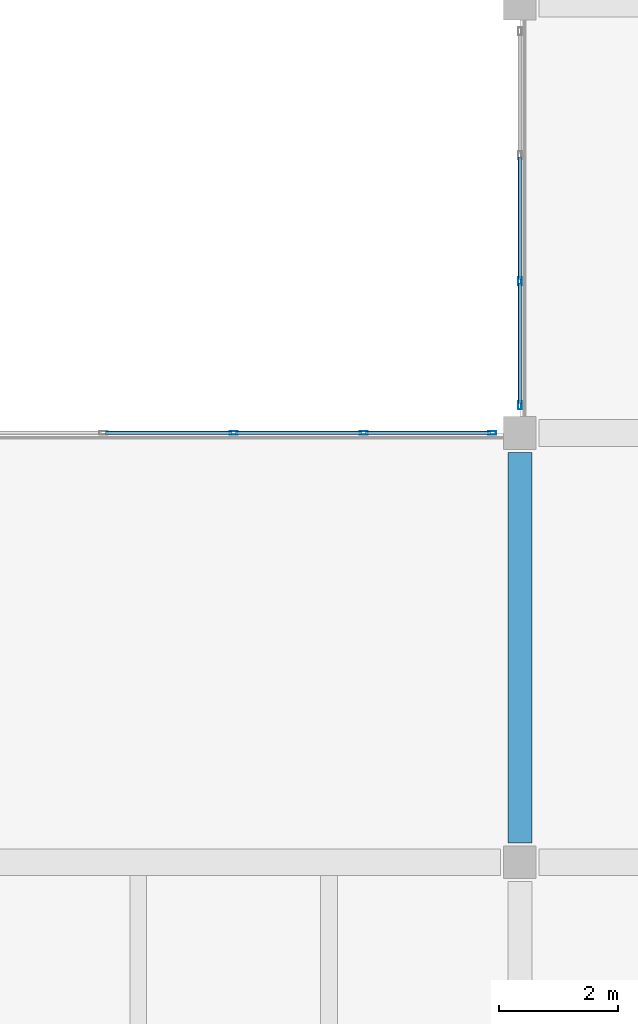
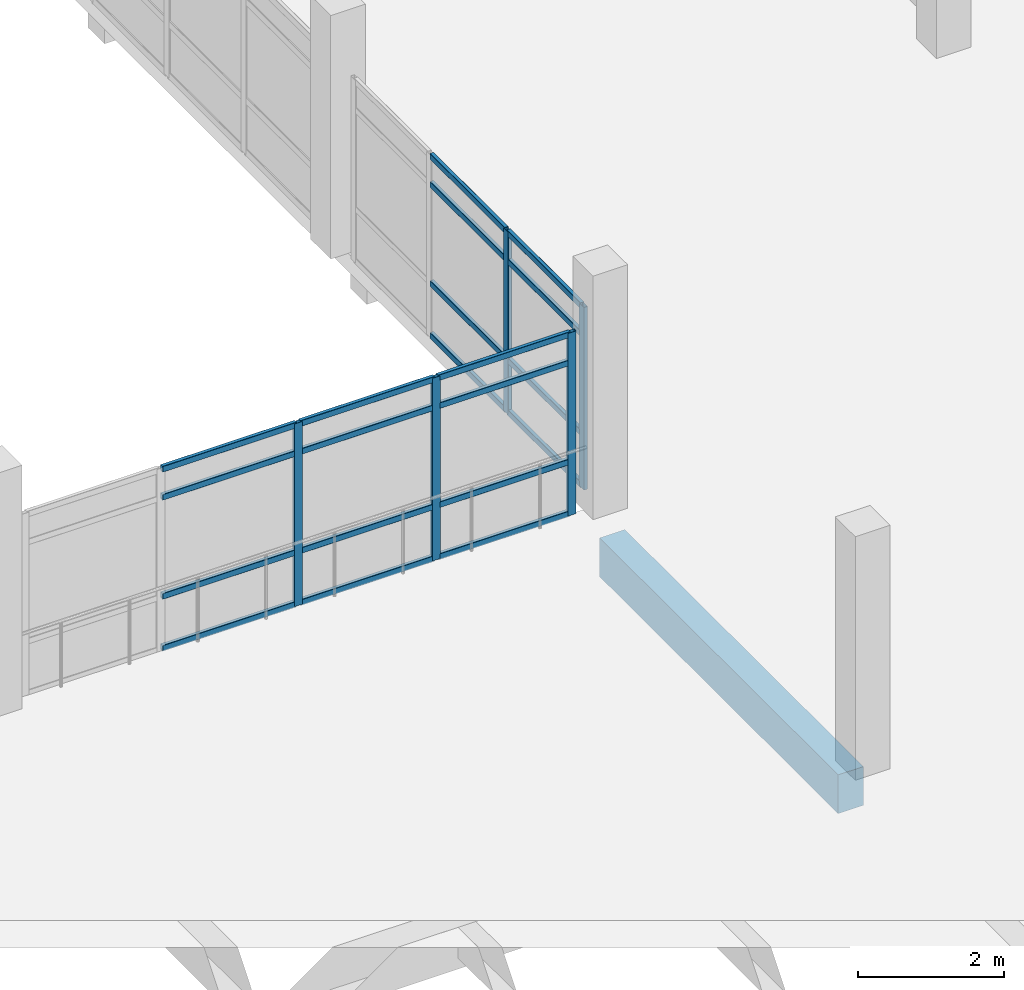
# One storey, part 29 of 72: 25 members, 1 beam, 2 elements without a shape of their own.
"""IFC4 building model written with IfcOpenShell, lengths in metres."""

from ifc_helpers import new_model, si_unit, direction, frame, origin, origin_2d, place, context, subcontext, project, spatial, rectangle, hollow_rectangle, extrude, material, layer, layer_set, material_profile, profile_set, type_object, element, aggregate, save


model = new_model("IFC4")

# Units and contexts
model_context = context("Model", 3, precision=1e-05, world=origin(), true_north=direction((0.0, 1.0)))
body_context = subcontext(model_context, "Body", "Model", "MODEL_VIEW")
ifc_project = project(units=[si_unit("LENGTHUNIT", "METRE"), si_unit("AREAUNIT", "SQUARE_METRE"), si_unit("VOLUMEUNIT", "CUBIC_METRE"), si_unit("PLANEANGLEUNIT", "RADIAN"), si_unit("MASSUNIT", "GRAM", prefix="KILO")], contexts=[model_context])

# Site, building, storey
site_placement = place(None, origin())
site = spatial("IfcSite", under=ifc_project, at=site_placement, CompositionType="ELEMENT")
building_placement = place(site_placement, origin())
building = spatial("IfcBuilding", under=site, at=building_placement, Name="Asteropetra Specialist Clinic", CompositionType="ELEMENT")
storey_placement = place(building_placement, frame((0.0, 0.0, 12.580078125)))
storey = spatial("IfcBuildingStorey", under=building, at=storey_placement, Name="L03", CompositionType="ELEMENT", Elevation=12.580078125)

# Beam
ifc_material_1 = material(Name="Concrete C35/45", Category="concrete")
ifc_material_profile_1 = material_profile(ifc_material_1, rectangle(XDim=0.39990234375, YDim=0.64990234375, at=origin_2d()), Name="RCB 400x650")
ifc_profile_set_1 = profile_set([ifc_material_profile_1], Name="Concrete C35/45")
beam_type = type_object("IfcBeamType", Name="BM-RC400x650", PredefinedType="BEAM", material=ifc_profile_set_1)
beam_placement = place(storey_placement, frame((134.39990234375, 12.324951171875, -0.625), z_axis=(0.0, 1.0, 0.0), x_axis=(-1.0, 0.0, 0.0)))
element("IfcBeam", 1, at=beam_placement, inside=storey, type_object=beam_type, Name="Beam BBM07-1510", PredefinedType="BEAM", context=body_context, shape_type="SweptSolid", body=[
    extrude(rectangle(XDim=0.39990234375, YDim=0.64990234375, at=origin_2d()), origin(), (0.0, 0.0, 1.0), 6.550048828125),
])

# Curtain wall, members
ifc_material_2 = material(Name="Aluminium and low-E glass", Category="aluminium")
ifc_layer_1 = layer(ifc_material_2, 0.14990234375)
ifc_layer_set_1 = layer_set([ifc_layer_1], Name="Aluminium and low-E glass")
curtain_wall_type_1 = type_object("IfcCurtainWallType", Name="CW-SYS-08", PredefinedType="USERDEFINED", material=ifc_layer_set_1)
curtain_wall_1_placement = place(storey_placement, origin())
curtain_wall_1 = element("IfcCurtainWall", 2, at=curtain_wall_1_placement, inside=storey, type_object=curtain_wall_type_1, Name="Curtain Wall CW-083", ObjectType="STICK GLAZED COLONNADE", PredefinedType="USERDEFINED")
ifc_material_3 = material(Name="Aluminium 6063-T6", Category="aluminium")
ifc_material_profile_2 = material_profile(ifc_material_3, hollow_rectangle(XDim=0.06005859375, YDim=0.135009765625, WallThickness=0.00341796875, InnerFilletRadius=0.00341796875, OuterFilletRadius=0.007080078125, at=origin_2d()), Name="MUL 135x60x3.5")
ifc_profile_set_2 = profile_set([ifc_material_profile_2], Name="Aluminium 6063-T6")
member_type_1 = type_object("IfcMemberType", Name="CWM-135x60", PredefinedType="MULLION", material=ifc_profile_set_2)
member_1_placement = place(storey_placement, frame((129.60009765625, 19.199951171875, 0.0), z_axis=(0.0, 0.0, 1.0), x_axis=(0.0, 1.0, 0.0)))
member_1 = element("IfcMember", 3, at=member_1_placement, type_object=member_type_1, Name="CW-083 mullion 3", PredefinedType="MULLION", context=body_context, shape_type="SweptSolid", body=[
    extrude(hollow_rectangle(XDim=0.06005859375, YDim=0.135009765625, WallThickness=0.00341796875, InnerFilletRadius=0.00341796875, OuterFilletRadius=0.007080078125, at=origin_2d()), origin(), (0.0, 0.0, 1.0), 3.059814453125),
])
member_2_placement = place(storey_placement, frame((131.782470703125, 19.199951171875, 0.0), z_axis=(0.0, 0.0, 1.0), x_axis=(0.0, 1.0, 0.0)))
member_2 = element("IfcMember", 4, at=member_2_placement, type_object=member_type_1, Name="CW-083 mullion 4", PredefinedType="MULLION", context=body_context, shape_type="SweptSolid", body=[
    extrude(hollow_rectangle(XDim=0.06005859375, YDim=0.135009765625, WallThickness=0.00341796875, InnerFilletRadius=0.00341796875, OuterFilletRadius=0.007080078125, at=origin_2d()), origin(), (0.0, 0.0, 1.0), 3.059814453125),
])
member_3_placement = place(storey_placement, frame((133.93505859375, 19.199951171875, 0.0), z_axis=(0.0, 0.0, 1.0), x_axis=(0.0, 1.0, 0.0)))
member_3 = element("IfcMember", 5, at=member_3_placement, type_object=member_type_1, Name="CW-083 mullion 5", PredefinedType="MULLION", context=body_context, shape_type="SweptSolid", body=[
    extrude(hollow_rectangle(XDim=0.06005859375, YDim=0.135009765625, WallThickness=0.00341796875, InnerFilletRadius=0.00341796875, OuterFilletRadius=0.007080078125, at=origin_2d()), origin(), (0.0, 0.0, 1.0), 3.059814453125),
])

ifc_material_4 = material(Name="Aluminium and low-E glass", Category="aluminium")
ifc_layer_2 = layer(ifc_material_4, 0.14990234375)
ifc_layer_set_2 = layer_set([ifc_layer_2], Name="Aluminium and low-E glass")
curtain_wall_type_2 = type_object("IfcCurtainWallType", Name="CW-SYS-11", PredefinedType="USERDEFINED", material=ifc_layer_set_2)
curtain_wall_2_placement = place(storey_placement, origin())
curtain_wall_2 = element("IfcCurtainWall", 6, at=curtain_wall_2_placement, inside=storey, type_object=curtain_wall_type_2, Name="Curtain Wall CW-086", ObjectType="STICK GLAZED COLONNADE", PredefinedType="USERDEFINED")
member_4_placement = place(storey_placement, frame((134.39990234375, 19.6650390625, 0.0), z_axis=(0.0, 0.0, 1.0), x_axis=(-1.0, 0.0, 0.0)))
member_4 = element("IfcMember", 7, at=member_4_placement, type_object=member_type_1, Name="CW-086 mullion 1", PredefinedType="MULLION", context=body_context, shape_type="SweptSolid", body=[
    extrude(hollow_rectangle(XDim=0.06005859375, YDim=0.135009765625, WallThickness=0.00341796875, InnerFilletRadius=0.00341796875, OuterFilletRadius=0.007080078125, at=origin_2d()), origin(), (0.0, 0.0, 1.0), 3.059814453125),
])
member_5_placement = place(storey_placement, frame((134.39990234375, 21.7451171875, 0.0), z_axis=(0.0, 0.0, 1.0), x_axis=(-1.0, 0.0, 0.0)))
member_5 = element("IfcMember", 8, at=member_5_placement, type_object=member_type_1, Name="CW-086 mullion 2", PredefinedType="MULLION", context=body_context, shape_type="SweptSolid", body=[
    extrude(hollow_rectangle(XDim=0.06005859375, YDim=0.135009765625, WallThickness=0.00341796875, InnerFilletRadius=0.00341796875, OuterFilletRadius=0.007080078125, at=origin_2d()), origin(), (0.0, 0.0, 1.0), 3.059814453125),
])

# Member
ifc_material_5 = material(Name="Aluminium 6063-T6", Category="aluminium")
ifc_material_profile_3 = material_profile(ifc_material_5, hollow_rectangle(XDim=0.06005859375, YDim=0.10009765625, WallThickness=0.00341796875, InnerFilletRadius=0.00341796875, OuterFilletRadius=0.007080078125, at=origin_2d()), Name="TRN 100x60x3.5")
ifc_profile_set_3 = profile_set([ifc_material_profile_3], Name="Aluminium 6063-T6")
member_type_2 = type_object("IfcMemberType", Name="CWT-100x60", PredefinedType="USERDEFINED", material=ifc_profile_set_3)
member_6_placement = place(storey_placement, frame((127.447509765625, 19.199951171875, 0.030029296875), z_axis=(1.0, 0.0, 0.0), x_axis=(0.0, 1.0, 0.0)))
member_6 = element("IfcMember", 9, at=member_6_placement, type_object=member_type_2, Name="CW-083 transom 2.1", ObjectType="TRANSOM", PredefinedType="USERDEFINED", context=body_context, shape_type="SweptSolid", body=[
    extrude(hollow_rectangle(XDim=0.06005859375, YDim=0.10009765625, WallThickness=0.00341796875, InnerFilletRadius=0.00341796875, OuterFilletRadius=0.007080078125, at=origin_2d()), origin(), (0.0, 0.0, 1.0), 2.12255859375),
])

member_7_placement = place(storey_placement, frame((127.447509765625, 19.199951171875, 0.89990234375), z_axis=(1.0, 0.0, 0.0), x_axis=(0.0, 1.0, 0.0)))
member_7 = element("IfcMember", 10, at=member_7_placement, type_object=member_type_2, Name="CW-083 transom 2.2", ObjectType="TRANSOM", PredefinedType="USERDEFINED", context=body_context, shape_type="SweptSolid", body=[
    extrude(hollow_rectangle(XDim=0.06005859375, YDim=0.10009765625, WallThickness=0.00341796875, InnerFilletRadius=0.00341796875, OuterFilletRadius=0.007080078125, at=origin_2d()), origin(), (0.0, 0.0, 1.0), 2.12255859375),
])

member_8_placement = place(storey_placement, frame((127.447509765625, 19.199951171875, 2.559814453125), z_axis=(1.0, 0.0, 0.0), x_axis=(0.0, 1.0, 0.0)))
member_8 = element("IfcMember", 11, at=member_8_placement, type_object=member_type_2, Name="CW-083 transom 2.3", ObjectType="TRANSOM", PredefinedType="USERDEFINED", context=body_context, shape_type="SweptSolid", body=[
    extrude(hollow_rectangle(XDim=0.06005859375, YDim=0.10009765625, WallThickness=0.00341796875, InnerFilletRadius=0.00341796875, OuterFilletRadius=0.007080078125, at=origin_2d()), origin(), (0.0, 0.0, 1.0), 2.12255859375),
])

member_9_placement = place(storey_placement, frame((127.447509765625, 19.199951171875, 3.030029296875), z_axis=(1.0, 0.0, 0.0), x_axis=(0.0, 1.0, 0.0)))
member_9 = element("IfcMember", 12, at=member_9_placement, type_object=member_type_2, Name="CW-083 transom 2.4", ObjectType="TRANSOM", PredefinedType="USERDEFINED", context=body_context, shape_type="SweptSolid", body=[
    extrude(hollow_rectangle(XDim=0.06005859375, YDim=0.10009765625, WallThickness=0.00341796875, InnerFilletRadius=0.00341796875, OuterFilletRadius=0.007080078125, at=origin_2d()), origin(), (0.0, 0.0, 1.0), 2.12255859375),
])

member_10_placement = place(storey_placement, frame((129.6298828125, 19.199951171875, 0.030029296875), z_axis=(1.0, 0.0, 0.0), x_axis=(0.0, 1.0, 0.0)))
member_10 = element("IfcMember", 13, at=member_10_placement, type_object=member_type_2, Name="CW-083 transom 3.1", ObjectType="TRANSOM", PredefinedType="USERDEFINED", context=body_context, shape_type="SweptSolid", body=[
    extrude(hollow_rectangle(XDim=0.06005859375, YDim=0.10009765625, WallThickness=0.00341796875, InnerFilletRadius=0.00341796875, OuterFilletRadius=0.007080078125, at=origin_2d()), origin(), (0.0, 0.0, 1.0), 2.12255859375),
])

member_11_placement = place(storey_placement, frame((129.6298828125, 19.199951171875, 0.89990234375), z_axis=(1.0, 0.0, 0.0), x_axis=(0.0, 1.0, 0.0)))
member_11 = element("IfcMember", 14, at=member_11_placement, type_object=member_type_2, Name="CW-083 transom 3.2", ObjectType="TRANSOM", PredefinedType="USERDEFINED", context=body_context, shape_type="SweptSolid", body=[
    extrude(hollow_rectangle(XDim=0.06005859375, YDim=0.10009765625, WallThickness=0.00341796875, InnerFilletRadius=0.00341796875, OuterFilletRadius=0.007080078125, at=origin_2d()), origin(), (0.0, 0.0, 1.0), 2.12255859375),
])

member_12_placement = place(storey_placement, frame((129.6298828125, 19.199951171875, 2.559814453125), z_axis=(1.0, 0.0, 0.0), x_axis=(0.0, 1.0, 0.0)))
member_12 = element("IfcMember", 15, at=member_12_placement, type_object=member_type_2, Name="CW-083 transom 3.3", ObjectType="TRANSOM", PredefinedType="USERDEFINED", context=body_context, shape_type="SweptSolid", body=[
    extrude(hollow_rectangle(XDim=0.06005859375, YDim=0.10009765625, WallThickness=0.00341796875, InnerFilletRadius=0.00341796875, OuterFilletRadius=0.007080078125, at=origin_2d()), origin(), (0.0, 0.0, 1.0), 2.12255859375),
])

member_13_placement = place(storey_placement, frame((129.6298828125, 19.199951171875, 3.030029296875), z_axis=(1.0, 0.0, 0.0), x_axis=(0.0, 1.0, 0.0)))
member_13 = element("IfcMember", 16, at=member_13_placement, type_object=member_type_2, Name="CW-083 transom 3.4", ObjectType="TRANSOM", PredefinedType="USERDEFINED", context=body_context, shape_type="SweptSolid", body=[
    extrude(hollow_rectangle(XDim=0.06005859375, YDim=0.10009765625, WallThickness=0.00341796875, InnerFilletRadius=0.00341796875, OuterFilletRadius=0.007080078125, at=origin_2d()), origin(), (0.0, 0.0, 1.0), 2.12255859375),
])

member_14_placement = place(storey_placement, frame((131.8125, 19.199951171875, 0.030029296875), z_axis=(1.0, 0.0, 0.0), x_axis=(0.0, 1.0, 0.0)))
member_14 = element("IfcMember", 17, at=member_14_placement, type_object=member_type_2, Name="CW-083 transom 4.1", ObjectType="TRANSOM", PredefinedType="USERDEFINED", context=body_context, shape_type="SweptSolid", body=[
    extrude(hollow_rectangle(XDim=0.06005859375, YDim=0.10009765625, WallThickness=0.00341796875, InnerFilletRadius=0.00341796875, OuterFilletRadius=0.007080078125, at=origin_2d()), origin(), (0.0, 0.0, 1.0), 2.092529296875),
])

member_15_placement = place(storey_placement, frame((131.8125, 19.199951171875, 0.89990234375), z_axis=(1.0, 0.0, 0.0), x_axis=(0.0, 1.0, 0.0)))
member_15 = element("IfcMember", 18, at=member_15_placement, type_object=member_type_2, Name="CW-083 transom 4.2", ObjectType="TRANSOM", PredefinedType="USERDEFINED", context=body_context, shape_type="SweptSolid", body=[
    extrude(hollow_rectangle(XDim=0.06005859375, YDim=0.10009765625, WallThickness=0.00341796875, InnerFilletRadius=0.00341796875, OuterFilletRadius=0.007080078125, at=origin_2d()), origin(), (0.0, 0.0, 1.0), 2.092529296875),
])

member_16_placement = place(storey_placement, frame((131.8125, 19.199951171875, 2.559814453125), z_axis=(1.0, 0.0, 0.0), x_axis=(0.0, 1.0, 0.0)))
member_16 = element("IfcMember", 19, at=member_16_placement, type_object=member_type_2, Name="CW-083 transom 4.3", ObjectType="TRANSOM", PredefinedType="USERDEFINED", context=body_context, shape_type="SweptSolid", body=[
    extrude(hollow_rectangle(XDim=0.06005859375, YDim=0.10009765625, WallThickness=0.00341796875, InnerFilletRadius=0.00341796875, OuterFilletRadius=0.007080078125, at=origin_2d()), origin(), (0.0, 0.0, 1.0), 2.092529296875),
])

member_17_placement = place(storey_placement, frame((131.8125, 19.199951171875, 3.030029296875), z_axis=(1.0, 0.0, 0.0), x_axis=(0.0, 1.0, 0.0)))
member_17 = element("IfcMember", 20, at=member_17_placement, type_object=member_type_2, Name="CW-083 transom 4.4", ObjectType="TRANSOM", PredefinedType="USERDEFINED", context=body_context, shape_type="SweptSolid", body=[
    extrude(hollow_rectangle(XDim=0.06005859375, YDim=0.10009765625, WallThickness=0.00341796875, InnerFilletRadius=0.00341796875, OuterFilletRadius=0.007080078125, at=origin_2d()), origin(), (0.0, 0.0, 1.0), 2.092529296875),
])

aggregate(curtain_wall_1, [member_1, member_2, member_3, member_6, member_7, member_8, member_9, member_10, member_11, member_12, member_13, member_14, member_15, member_16, member_17])

member_18_placement = place(storey_placement, frame((134.39990234375, 19.695068359375, 0.030029296875), z_axis=(0.0, 1.0, 0.0), x_axis=(-1.0, 0.0, 0.0)))
member_18 = element("IfcMember", 21, at=member_18_placement, type_object=member_type_2, Name="CW-086 transom 1.1", ObjectType="TRANSOM", PredefinedType="USERDEFINED", context=body_context, shape_type="SweptSolid", body=[
    extrude(hollow_rectangle(XDim=0.06005859375, YDim=0.10009765625, WallThickness=0.00341796875, InnerFilletRadius=0.00341796875, OuterFilletRadius=0.007080078125, at=origin_2d()), origin(), (0.0, 0.0, 1.0), 2.02001953125),
])

member_19_placement = place(storey_placement, frame((134.39990234375, 19.695068359375, 0.89990234375), z_axis=(0.0, 1.0, 0.0), x_axis=(-1.0, 0.0, 0.0)))
member_19 = element("IfcMember", 22, at=member_19_placement, type_object=member_type_2, Name="CW-086 transom 1.2", ObjectType="TRANSOM", PredefinedType="USERDEFINED", context=body_context, shape_type="SweptSolid", body=[
    extrude(hollow_rectangle(XDim=0.06005859375, YDim=0.10009765625, WallThickness=0.00341796875, InnerFilletRadius=0.00341796875, OuterFilletRadius=0.007080078125, at=origin_2d()), origin(), (0.0, 0.0, 1.0), 2.02001953125),
])

member_20_placement = place(storey_placement, frame((134.39990234375, 19.695068359375, 2.559814453125), z_axis=(0.0, 1.0, 0.0), x_axis=(-1.0, 0.0, 0.0)))
member_20 = element("IfcMember", 23, at=member_20_placement, type_object=member_type_2, Name="CW-086 transom 1.3", ObjectType="TRANSOM", PredefinedType="USERDEFINED", context=body_context, shape_type="SweptSolid", body=[
    extrude(hollow_rectangle(XDim=0.06005859375, YDim=0.10009765625, WallThickness=0.00341796875, InnerFilletRadius=0.00341796875, OuterFilletRadius=0.007080078125, at=origin_2d()), origin(), (0.0, 0.0, 1.0), 2.02001953125),
])

member_21_placement = place(storey_placement, frame((134.39990234375, 19.695068359375, 3.030029296875), z_axis=(0.0, 1.0, 0.0), x_axis=(-1.0, 0.0, 0.0)))
member_21 = element("IfcMember", 24, at=member_21_placement, type_object=member_type_2, Name="CW-086 transom 1.4", ObjectType="TRANSOM", PredefinedType="USERDEFINED", context=body_context, shape_type="SweptSolid", body=[
    extrude(hollow_rectangle(XDim=0.06005859375, YDim=0.10009765625, WallThickness=0.00341796875, InnerFilletRadius=0.00341796875, OuterFilletRadius=0.007080078125, at=origin_2d()), origin(), (0.0, 0.0, 1.0), 2.02001953125),
])

member_22_placement = place(storey_placement, frame((134.39990234375, 21.77490234375, 0.030029296875), z_axis=(0.0, 1.0, 0.0), x_axis=(-1.0, 0.0, 0.0)))
member_22 = element("IfcMember", 25, at=member_22_placement, type_object=member_type_2, Name="CW-086 transom 2.1", ObjectType="TRANSOM", PredefinedType="USERDEFINED", context=body_context, shape_type="SweptSolid", body=[
    extrude(hollow_rectangle(XDim=0.06005859375, YDim=0.10009765625, WallThickness=0.00341796875, InnerFilletRadius=0.00341796875, OuterFilletRadius=0.007080078125, at=origin_2d()), origin(), (0.0, 0.0, 1.0), 2.050048828125),
])

member_23_placement = place(storey_placement, frame((134.39990234375, 21.77490234375, 0.89990234375), z_axis=(0.0, 1.0, 0.0), x_axis=(-1.0, 0.0, 0.0)))
member_23 = element("IfcMember", 26, at=member_23_placement, type_object=member_type_2, Name="CW-086 transom 2.2", ObjectType="TRANSOM", PredefinedType="USERDEFINED", context=body_context, shape_type="SweptSolid", body=[
    extrude(hollow_rectangle(XDim=0.06005859375, YDim=0.10009765625, WallThickness=0.00341796875, InnerFilletRadius=0.00341796875, OuterFilletRadius=0.007080078125, at=origin_2d()), origin(), (0.0, 0.0, 1.0), 2.050048828125),
])

member_24_placement = place(storey_placement, frame((134.39990234375, 21.77490234375, 2.559814453125), z_axis=(0.0, 1.0, 0.0), x_axis=(-1.0, 0.0, 0.0)))
member_24 = element("IfcMember", 27, at=member_24_placement, type_object=member_type_2, Name="CW-086 transom 2.3", ObjectType="TRANSOM", PredefinedType="USERDEFINED", context=body_context, shape_type="SweptSolid", body=[
    extrude(hollow_rectangle(XDim=0.06005859375, YDim=0.10009765625, WallThickness=0.00341796875, InnerFilletRadius=0.00341796875, OuterFilletRadius=0.007080078125, at=origin_2d()), origin(), (0.0, 0.0, 1.0), 2.050048828125),
])

member_25_placement = place(storey_placement, frame((134.39990234375, 21.77490234375, 3.030029296875), z_axis=(0.0, 1.0, 0.0), x_axis=(-1.0, 0.0, 0.0)))
member_25 = element("IfcMember", 28, at=member_25_placement, type_object=member_type_2, Name="CW-086 transom 2.4", ObjectType="TRANSOM", PredefinedType="USERDEFINED", context=body_context, shape_type="SweptSolid", body=[
    extrude(hollow_rectangle(XDim=0.06005859375, YDim=0.10009765625, WallThickness=0.00341796875, InnerFilletRadius=0.00341796875, OuterFilletRadius=0.007080078125, at=origin_2d()), origin(), (0.0, 0.0, 1.0), 2.050048828125),
])

aggregate(curtain_wall_2, [member_4, member_5, member_18, member_19, member_20, member_21, member_22, member_23, member_24, member_25])

save(model, "model.ifc")
